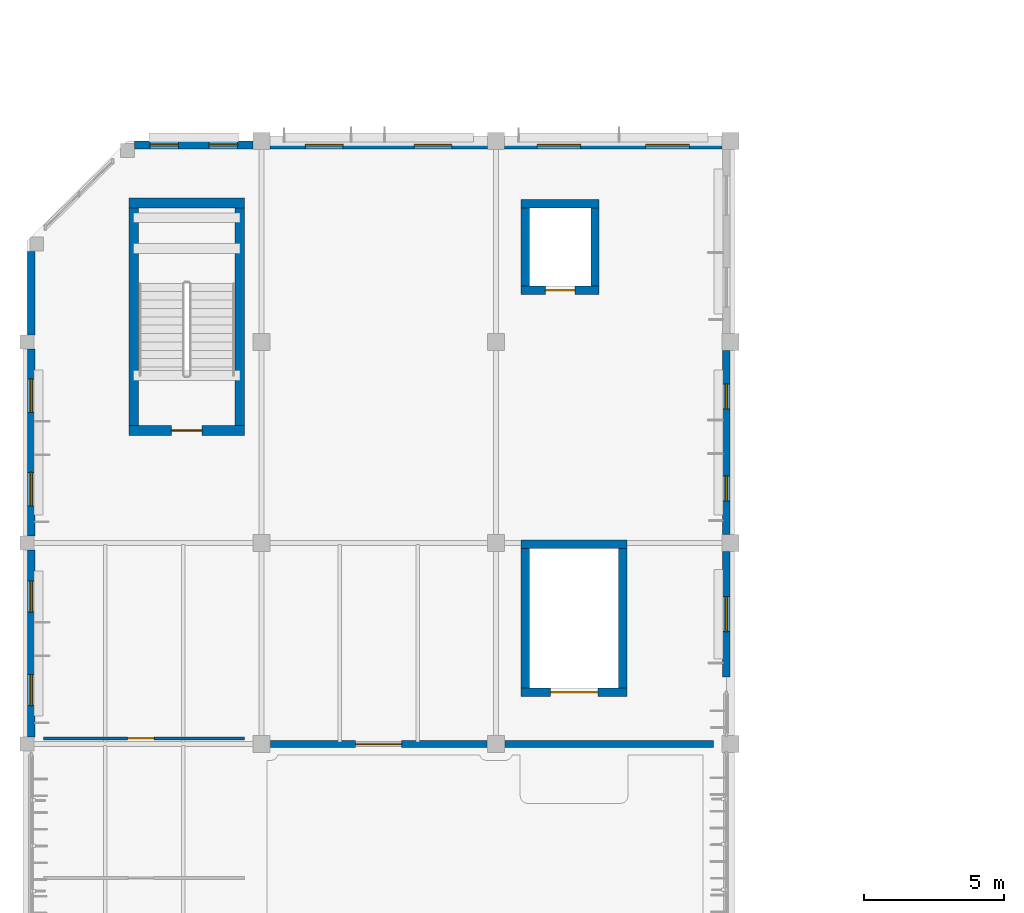
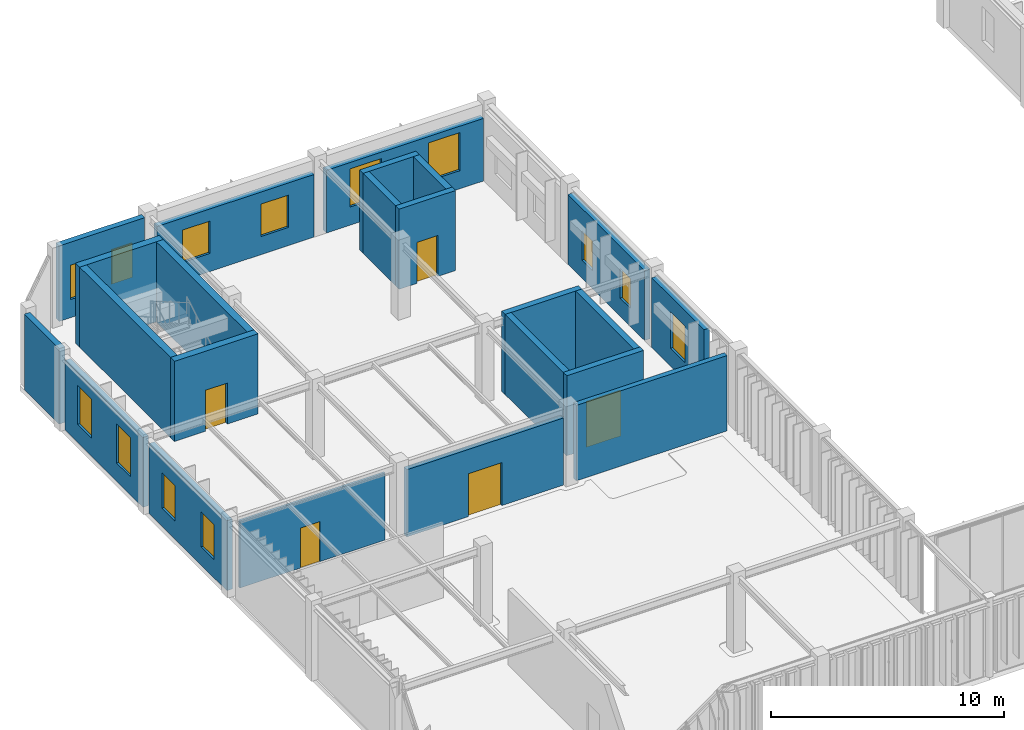
# One storey, part 42 of 104: 23 walls, 13 windows, 5 doors, 18 openings.
"""IFC4 building model written with IfcOpenShell, lengths in metres."""

import ifcopenshell
import ifcopenshell.guid

model = None  # the IFC model being written
_history = None  # IfcOwnerHistory: only IFC2X3 demands one
_inside = {}  # id of a spatial element -> (the spatial element, [elements in it])
_under = {}  # id of a project, library or spatial element -> (it, [spatial elements below it])
_declared = {}  # id of a project -> (the project, [libraries it declares])
_typed = {}  # id of a type object -> (the type object, [elements of that type])
_made_of = {}  # id of a material, layer set ... -> (it, [elements and type objects made of it])


def new_model(schema):
    """Start an empty IFC model of exactly this schema.

    Asked for "IFC4X3", IfcOpenShell would pick the latest addendum, in which some entities
    have other attributes; the version numbers below select the first issue.
    IFC2X3 requires an IfcOwnerHistory on every rooted entity: one is made here for all.
    """
    global model, _history
    if schema == "IFC4X3":
        model = ifcopenshell.file(schema_version=(4, 3, 0, 0))
    else:
        model = ifcopenshell.file(schema=schema)
    _inside.clear()
    _under.clear()
    _declared.clear()
    _typed.clear()
    _made_of.clear()
    _history = None
    if model.schema == "IFC2X3":
        org = make("IfcOrganization", Name="unknown")
        user = make(
            "IfcPersonAndOrganization",
            ThePerson=make("IfcPerson", FamilyName="unknown"),
            TheOrganization=org,
        )
        app = make(
            "IfcApplication",
            ApplicationDeveloper=org,
            Version="unknown",
            ApplicationFullName="unknown",
            ApplicationIdentifier="unknown",
        )
        _history = make(
            "IfcOwnerHistory",
            OwningUser=user,
            OwningApplication=app,
            ChangeAction="ADDED",
            CreationDate=0,
        )
    return model


def make(cls, **values):
    """One entity of the class cls with the attributes given. An attribute that is None is left unset."""
    return model.create_entity(
        cls, **{name: value for name, value in values.items() if value is not None}
    )


def rooted(cls, **values):
    """An entity with a GlobalId (a new one), such as an element, a storey or a relation."""
    return make(cls, GlobalId=ifcopenshell.guid.new(), OwnerHistory=_history, **values)


def si_unit(unit_type, name, prefix=None):
    """IfcSIUnit, for example si_unit("LENGTHUNIT", "METRE", prefix="MILLI")."""
    return make("IfcSIUnit", UnitType=unit_type, Prefix=prefix, Name=name)


def assignment(units):
    """IfcUnitAssignment: the units of a project."""
    return None if units is None else make("IfcUnitAssignment", Units=units)


def point(xyz):
    """IfcCartesianPoint."""
    return None if xyz is None else make("IfcCartesianPoint", Coordinates=xyz)


def direction(xyz):
    """IfcDirection."""
    return None if xyz is None else make("IfcDirection", DirectionRatios=xyz)


def frame(location, z_axis=None, x_axis=None):
    """IfcAxis2Placement3D, a coordinate frame: its origin and axes. An axis left out is left unset."""
    return make(
        "IfcAxis2Placement3D",
        Location=point(location),
        Axis=direction(z_axis),
        RefDirection=direction(x_axis),
    )


def frame_2d(location, x_axis=None):
    """IfcAxis2Placement2D, a coordinate frame in the plane: its origin and x axis."""
    return make(
        "IfcAxis2Placement2D", Location=point(location), RefDirection=direction(x_axis)
    )


def origin():
    """The frame at (0, 0, 0) with its axes left unset."""
    return frame((0.0, 0.0, 0.0))


def place(relative_to, where):
    """IfcLocalPlacement: puts the frame where relative to a parent placement (None: the world)."""
    return make(
        "IfcLocalPlacement", PlacementRelTo=relative_to, RelativePlacement=where
    )


def context(
    kind, dimensions, precision=None, world=None, true_north=None, identifier=None
):
    """IfcGeometricRepresentationContext, for example the 3D "Model" context."""
    return make(
        "IfcGeometricRepresentationContext",
        ContextIdentifier=identifier,
        ContextType=kind,
        CoordinateSpaceDimension=dimensions,
        Precision=precision,
        WorldCoordinateSystem=world,
        TrueNorth=true_north,
    )


def subcontext(parent, identifier, kind, view, scale=None):
    """IfcGeometricRepresentationSubContext, for example "Body" below "Model"."""
    return make(
        "IfcGeometricRepresentationSubContext",
        ContextIdentifier=identifier,
        ContextType=kind,
        ParentContext=parent,
        TargetScale=scale,
        TargetView=view,
    )


def project(units=None, contexts=None):
    """IfcProject with its units and contexts."""
    return rooted(
        "IfcProject",
        Name="project",
        RepresentationContexts=contexts,
        UnitsInContext=assignment(units),
    )


def spatial(cls, under=None, at=None, **own):
    """A site, building, storey or space (cls), placed at a placement, below another one or the project."""
    s = rooted(cls, ObjectPlacement=at, **own)
    if under is not None:
        _under.setdefault(under.id(), (under, []))[1].append(s)
    return s


def profile(cls, at=None, kind="AREA", **sizes):
    """A parametric profile (cls). Its sizes go by their IFC names, for example OverallWidth=200.0."""
    return make(cls, ProfileType=kind, Position=at, **sizes)


def rectangle(**sizes):
    """IfcRectangleProfileDef."""
    return profile("IfcRectangleProfileDef", **sizes)


def extrude(swept, where, along, depth):
    """IfcExtrudedAreaSolid: the profile swept, set in the frame where, extruded along a direction by depth."""
    return make(
        "IfcExtrudedAreaSolid",
        SweptArea=swept,
        Position=where,
        ExtrudedDirection=direction(along),
        Depth=depth,
    )


def shape(context_of_items, identifier, shape_type, items):
    """IfcShapeRepresentation: the items that make up one representation, for example the "Body"."""
    return make(
        "IfcShapeRepresentation",
        ContextOfItems=context_of_items,
        RepresentationIdentifier=identifier,
        RepresentationType=shape_type,
        Items=items,
    )


def material(Name=None, Category=None):
    """IfcMaterial."""
    return make("IfcMaterial", Name=Name, Category=Category)


def layer(
    of_material, thickness, ventilated=None, Name=None, Category=None, Priority=None
):
    """IfcMaterialLayer: one layer of a wall or slab, of a material (None: an air gap)."""
    return make(
        "IfcMaterialLayer",
        Material=of_material,
        LayerThickness=thickness,
        IsVentilated=ventilated,
        Name=Name,
        Category=Category,
        Priority=Priority,
    )


def layer_set(layers, Name=None):
    """IfcMaterialLayerSet."""
    return make("IfcMaterialLayerSet", MaterialLayers=layers, LayerSetName=Name)


def made_of(thing, what):
    """Note that an element or type object is made of a material, layer set ...; save() writes the relation."""
    if what is not None:
        _made_of.setdefault(what.id(), (what, []))[1].append(thing)
    return thing


def type_object(cls, material=None, **own):
    """A type object (cls), such as IfcWallType, which elements share."""
    return made_of(rooted(cls, **own), material)


def element(
    cls,
    number,
    at=None,
    inside=None,
    cuts=None,
    type_object=None,
    material=None,
    context=None,
    identifier="Body",
    shape_type=None,
    held_by="IfcProductDefinitionShape",
    body=None,
    shapes=None,
    **own,
):
    """One element of the class cls, such as IfcWall. Its Tag is "e" and its number.

    at: its placement. inside: the storey or other place that contains it. cuts: it is an
    opening in that element (IfcRelVoidsElement). A single representation is given by context,
    identifier, shape_type and body (its items); several are given by shapes. held_by: the class
    of the entity that holds the representations. save() writes the other relations.
    """
    e = rooted(cls, Tag="e%d" % number, ObjectPlacement=at, **own)
    if body is not None:
        shapes = [shape(context, identifier, shape_type, body)]
    if shapes is not None:
        e.Representation = make(held_by, Representations=shapes)
    if inside is not None:
        _inside.setdefault(inside.id(), (inside, []))[1].append(e)
    if cuts is not None:
        rooted(
            "IfcRelVoidsElement", RelatingBuildingElement=cuts, RelatedOpeningElement=e
        )
    if type_object is not None:
        _typed.setdefault(type_object.id(), (type_object, []))[1].append(e)
    return made_of(e, material)


def fill(opening, filler):
    """IfcRelFillsElement: the door or window that sits in an opening."""
    return rooted(
        "IfcRelFillsElement",
        RelatingOpeningElement=opening,
        RelatedBuildingElement=filler,
    )


def aggregate(whole, parts):
    """IfcRelAggregates: a whole, such as a stair, and the parts it consists of."""
    return rooted("IfcRelAggregates", RelatingObject=whole, RelatedObjects=parts)


def save(model, path):
    """Write the relations noted so far, then the file.

    IfcRelAggregates (storeys below a building ...), IfcRelContainedInSpatialStructure (elements
    in a storey), IfcRelDefinesByType, IfcRelAssociatesMaterial and IfcRelDeclares: one each for
    every whole, place, type object, material and project.
    """
    for whole, parts in _under.values():
        aggregate(whole, parts)
    for where, things in _inside.values():
        rooted(
            "IfcRelContainedInSpatialStructure",
            RelatedElements=things,
            RelatingStructure=where,
        )
    for kind, things in _typed.values():
        rooted("IfcRelDefinesByType", RelatedObjects=things, RelatingType=kind)
    for what, things in _made_of.values():
        rooted("IfcRelAssociatesMaterial", RelatedObjects=things, RelatingMaterial=what)
    for by, libraries in _declared.values():
        rooted("IfcRelDeclares", RelatingContext=by, RelatedDefinitions=libraries)
    model.write(path)


model = new_model("IFC4")

# Units and contexts
model_context = context("Model", 3, precision=1e-05, world=origin(), true_north=direction((0.0, 1.0)))
body_context = subcontext(model_context, "Body", "Model", "MODEL_VIEW")
ifc_project = project(units=[si_unit("LENGTHUNIT", "METRE"), si_unit("AREAUNIT", "SQUARE_METRE"), si_unit("VOLUMEUNIT", "CUBIC_METRE"), si_unit("PLANEANGLEUNIT", "RADIAN"), si_unit("MASSUNIT", "GRAM", prefix="KILO")], contexts=[model_context])

# Site, building, storey
site_placement = place(None, origin())
site = spatial("IfcSite", under=ifc_project, at=site_placement, CompositionType="ELEMENT")
building_placement = place(site_placement, origin())
building = spatial("IfcBuilding", under=site, at=building_placement, Name="Tazoul Stagehouse", CompositionType="ELEMENT")
storey_placement = place(building_placement, frame((0.0, 0.0, 9.0)))
storey = spatial("IfcBuildingStorey", under=building, at=storey_placement, Name="L02", CompositionType="ELEMENT", Elevation=9.0)

# Wall, opening, door
ifc_material_1 = material(Name="Gypsum Acoustic Partition", Category="gypsum")
ifc_layer_1 = layer(ifc_material_1, 0.25, Name="Gypsum Acoustic Partition")
ifc_layer_set_1 = layer_set([ifc_layer_1], Name="Gypsum Acoustic Partition")
wall_type_1 = type_object("IfcWallType", Name="Acoustic Hall Double-Stud Partition 250", PredefinedType="PARTITIONING", material=ifc_layer_set_1)
wall_1_placement = place(storey_placement, frame((11.1201171875, 66.199951171875, 0.0), z_axis=(0.0, 0.0, 1.0), x_axis=(1.0, 0.0, 0.0)))
wall_1 = element("IfcWall", 1, at=wall_1_placement, inside=storey, type_object=wall_type_1, Name="L02 Partition PW-250 (PW-RM-L02-066-N-S1)", PredefinedType="PARTITIONING", context=body_context, shape_type="SweptSolid", body=[
    extrude(rectangle(XDim=7.759765625, YDim=0.25, at=frame_2d((3.8798828125, 0.0))), origin(), (0.0, 0.0, 1.0), 3.52001953125),
])
opening_1_placement = place(wall_1_placement, frame((3.054931640625, 0.0, 0.0)))
opening_1 = element("IfcOpeningElement", 2, at=opening_1_placement, cuts=wall_1, Name="Opening ID-17", PredefinedType="OPENING", context=body_context, shape_type="SweptSolid", body=[
    extrude(rectangle(XDim=1.64990234375, YDim=2.25, at=frame_2d((0.824951171875, 1.125))), frame((0.0, 0.14501953125, 0.0), z_axis=(0.0, -1.0, 0.0), x_axis=(1.0, 0.0, 0.0)), (0.0, 0.0, 1.0), 0.2900390625),
])
ifc_material_2 = material(Name="Acoustic Cedar Timber", Category="wood")
door_type_1 = type_object("IfcDoorType", Name="Black-Box Theatre Acoustic Door 1650x2250", OperationType="DOUBLE_DOOR_SINGLE_SWING", PredefinedType="DOOR", material=ifc_material_2)
door_1_placement = place(opening_1_placement, origin())
door_1 = element("IfcDoor", 3, at=door_1_placement, inside=storey, type_object=door_type_1, Name="L02 Experimental Black-Box Theatre Door", OperationType="DOUBLE_DOOR_SINGLE_SWING", OverallHeight=2.25, OverallWidth=1.64990234375, PredefinedType="DOOR", context=body_context, shape_type="SweptSolid", body=[
    extrude(rectangle(XDim=1.64990234375, YDim=2.25, at=frame_2d((0.824951171875, 1.125))), frame((0.0, 0.02490234375, 0.0), z_axis=(0.0, -1.0, 0.0), x_axis=(1.0, 0.0, 0.0)), (0.0, 0.0, 1.0), 0.050048828125),
])
fill(opening_1, door_1)

# Wall
wall_2_placement = place(storey_placement, frame((19.52001953125, 66.199951171875, 0.0), z_axis=(0.0, 0.0, 1.0), x_axis=(1.0, 0.0, 0.0)))
element("IfcWall", 4, at=wall_2_placement, inside=storey, type_object=wall_type_1, Name="L02 Partition PW-250 (PW-RM-L02-066-N-S2)", PredefinedType="PARTITIONING", context=body_context, shape_type="SweptSolid", body=[
    extrude(rectangle(XDim=7.47998046875, YDim=0.25, at=frame_2d((3.739990234375, 0.0))), origin(), (0.0, 0.0, 1.0), 3.949951171875),
])

# Wall, opening, door
ifc_material_3 = material(Name="Concrete C40/50", Category="concrete")
ifc_layer_2 = layer(ifc_material_3, 0.35009765625, Name="Concrete C40/50")
ifc_layer_set_2 = layer_set([ifc_layer_2], Name="Concrete C40/50")
wall_type_2 = type_object("IfcWallType", Name="Core Shear Wall 350", PredefinedType="SOLIDWALL", material=ifc_layer_set_2)
wall_3_placement = place(storey_placement, frame((10.199951171875, 77.425048828125, 0.0), z_axis=(0.0, 0.0, 1.0), x_axis=(-1.0, 0.0, 0.0)))
wall_3 = element("IfcWall", 5, at=wall_3_placement, inside=storey, type_object=wall_type_2, Name="L02 Core Wall CW-350 (SHF-ST-06-south)", PredefinedType="SOLIDWALL", context=body_context, shape_type="SweptSolid", body=[
    extrude(rectangle(XDim=4.14990234375, YDim=0.35009765625, at=frame_2d((2.074951171875, 0.0))), origin(), (0.0, 0.0, 1.0), 4.199951171875),
])
opening_2_placement = place(wall_3_placement, frame((1.52490234375, 0.0, 0.0)))
opening_2 = element("IfcOpeningElement", 6, at=opening_2_placement, cuts=wall_3, Name="Opening FD-01", PredefinedType="OPENING", context=body_context, shape_type="SweptSolid", body=[
    extrude(rectangle(XDim=1.10009765625, YDim=2.14990234375, at=frame_2d((0.550048828125, 1.074951171875))), frame((0.0, 0.195068359375, 0.0), z_axis=(0.0, -1.0, 0.0), x_axis=(1.0, 0.0, 0.0)), (0.0, 0.0, 1.0), 0.39013671875),
])
ifc_material_4 = material(Name="Powder-Coated Galvanised Acoustic Steel", Category="steel")
door_type_2 = type_object("IfcDoorType", Name="Core Escape Stair Fire Door 1100x2150", OperationType="NOTDEFINED", PredefinedType="DOOR", material=ifc_material_4)
door_2_placement = place(opening_2_placement, origin())
door_2 = element("IfcDoor", 7, at=door_2_placement, inside=storey, type_object=door_type_2, Name="L02 Escape Stair Fire Door FD-01 (ST-06)", OperationType="SINGLE_SWING_RIGHT", OverallHeight=2.14990234375, OverallWidth=1.10009765625, PredefinedType="DOOR", context=body_context, shape_type="SweptSolid", body=[
    extrude(rectangle(XDim=1.10009765625, YDim=2.14990234375, at=frame_2d((0.550048828125, 1.074951171875))), frame((0.0, 0.02490234375, 0.0), z_axis=(0.0, -1.0, 0.0), x_axis=(1.0, 0.0, 0.0)), (0.0, 0.0, 1.0), 0.050048828125),
])
fill(opening_2, door_2)

# Walls
wall_4_placement = place(storey_placement, frame((6.22509765625, 77.60009765625, 0.0), z_axis=(0.0, 0.0, 1.0), x_axis=(0.0, 1.0, 0.0)))
element("IfcWall", 8, at=wall_4_placement, inside=storey, type_object=wall_type_2, Name="L02 Core Wall CW-350 (SHF-ST-06-west)", PredefinedType="SOLIDWALL", context=body_context, shape_type="SweptSolid", body=[
    extrude(rectangle(XDim=7.7998046875, YDim=0.35009765625, at=frame_2d((3.89990234375, 0.0))), origin(), (0.0, 0.0, 1.0), 4.199951171875),
])
wall_5_placement = place(storey_placement, frame((6.050048828125, 85.574951171875, 0.0), z_axis=(0.0, 0.0, 1.0), x_axis=(1.0, 0.0, 0.0)))
element("IfcWall", 9, at=wall_5_placement, inside=storey, type_object=wall_type_2, Name="L02 Core Wall CW-350 (SHF-ST-06-north)", PredefinedType="SOLIDWALL", context=body_context, shape_type="SweptSolid", body=[
    extrude(rectangle(XDim=4.14990234375, YDim=0.35009765625, at=frame_2d((2.074951171875, 0.0))), origin(), (0.0, 0.0, 1.0), 4.199951171875),
])
wall_6_placement = place(storey_placement, frame((10.02490234375, 85.39990234375, 0.0), z_axis=(0.0, 0.0, 1.0), x_axis=(0.0, -1.0, 0.0)))
element("IfcWall", 10, at=wall_6_placement, inside=storey, type_object=wall_type_2, Name="L02 Core Wall CW-350 (SHF-ST-06-east)", PredefinedType="SOLIDWALL", context=body_context, shape_type="SweptSolid", body=[
    extrude(rectangle(XDim=7.7998046875, YDim=0.35009765625, at=frame_2d((3.89990234375, 0.0))), origin(), (0.0, 0.0, 1.0), 4.199951171875),
])

# Wall, openings, windows
ifc_material_5 = material(Name="Precast concrete C40/50", Category="concrete")
ifc_layer_3 = layer(ifc_material_5, 0.280029296875, Name="Precast concrete C40/50")
ifc_layer_set_3 = layer_set([ifc_layer_3], Name="Precast concrete C40/50")
wall_type_3 = type_object("IfcWallType", Name="Insulated Precast Acoustic Cladding Wall 280", PredefinedType="SOLIDWALL", material=ifc_layer_set_3)
wall_7_placement = place(storey_placement, frame((2.550048828125, 66.455078125, 0.0), z_axis=(0.0, 0.0, 1.0), x_axis=(0.0, 1.0, 0.0)))
wall_7 = element("IfcWall", 11, at=wall_7_placement, inside=storey, type_object=wall_type_3, Name="L02 Wall EW-280 (WALL-V6-W2-L02-S1)", PredefinedType="SOLIDWALL", context=body_context, shape_type="SweptSolid", body=[
    extrude(rectangle(XDim=6.68994140625, YDim=0.280029296875, at=frame_2d((3.344970703125, 0.0))), origin(), (0.0, 0.0, 1.0), 3.6630859375),
])
opening_3_placement = place(wall_7_placement, frame((1.117431640625, 0.0, 0.949951171875)))
opening_3 = element("IfcOpeningElement", 12, at=opening_3_placement, cuts=wall_7, Name="Opening WN-65", PredefinedType="OPENING", context=body_context, shape_type="SweptSolid", body=[
    extrude(rectangle(XDim=1.110107421875, YDim=1.85009765625, at=frame_2d((0.55517578125, 0.925048828125))), frame((0.0, 0.159912109375, 0.0), z_axis=(0.0, -1.0, 0.0), x_axis=(1.0, 0.0, 0.0)), (0.0, 0.0, 1.0), 0.320068359375),
])
opening_4_placement = place(wall_7_placement, frame((4.46240234375, 0.0, 0.949951171875)))
opening_4 = element("IfcOpeningElement", 13, at=opening_4_placement, cuts=wall_7, Name="Opening WN-65", PredefinedType="OPENING", context=body_context, shape_type="SweptSolid", body=[
    extrude(rectangle(XDim=1.110107421875, YDim=1.85009765625, at=frame_2d((0.55517578125, 0.925048828125))), frame((0.0, 0.159912109375, 0.0), z_axis=(0.0, -1.0, 0.0), x_axis=(1.0, 0.0, 0.0)), (0.0, 0.0, 1.0), 0.320068359375),
])
ifc_material_6 = material(Name="Double Low-E Acoustic Laminated Glass", Category="glass")
window_type_1 = type_object("IfcWindowType", Name="Architectural Acoustic Facade Window 1110x1850", PartitioningType="SINGLE_PANEL", PredefinedType="WINDOW", material=ifc_material_6)
window_1_placement = place(opening_3_placement, origin())
window_1 = element("IfcWindow", 14, at=window_1_placement, inside=storey, type_object=window_type_1, Name="L02 Window WN-65 (WALL-V6-W2-L02-S1-W1)", OverallHeight=1.85009765625, OverallWidth=1.110107421875, PartitioningType="SINGLE_PANEL", PredefinedType="WINDOW", context=body_context, shape_type="SweptSolid", body=[
    extrude(rectangle(XDim=1.110107421875, YDim=1.85009765625, at=frame_2d((0.55517578125, 0.925048828125))), frame((0.0, 0.030029296875, 0.0), z_axis=(0.0, -1.0, 0.0), x_axis=(1.0, 0.0, 0.0)), (0.0, 0.0, 1.0), 0.06005859375),
])
fill(opening_3, window_1)
window_2_placement = place(opening_4_placement, origin())
window_2 = element("IfcWindow", 15, at=window_2_placement, inside=storey, type_object=window_type_1, Name="L02 Window WN-65 (WALL-V6-W2-L02-S1-W2)", OverallHeight=1.85009765625, OverallWidth=1.110107421875, PartitioningType="SINGLE_PANEL", PredefinedType="WINDOW", context=body_context, shape_type="SweptSolid", body=[
    extrude(rectangle(XDim=1.110107421875, YDim=1.85009765625, at=frame_2d((0.55517578125, 0.925048828125))), frame((0.0, 0.030029296875, 0.0), z_axis=(0.0, -1.0, 0.0), x_axis=(1.0, 0.0, 0.0)), (0.0, 0.0, 1.0), 0.06005859375),
])
fill(opening_4, window_2)

wall_8_placement = place(storey_placement, frame((2.550048828125, 73.655029296875, 0.0), z_axis=(0.0, 0.0, 1.0), x_axis=(0.0, 1.0, 0.0)))
wall_8 = element("IfcWall", 16, at=wall_8_placement, inside=storey, type_object=wall_type_3, Name="L02 Wall EW-280 (WALL-V6-W2-L02-S2)", PredefinedType="SOLIDWALL", context=body_context, shape_type="SweptSolid", body=[
    extrude(rectangle(XDim=6.68994140625, YDim=0.280029296875, at=frame_2d((3.344970703125, 0.0))), origin(), (0.0, 0.0, 1.0), 3.6630859375),
])
opening_5_placement = place(wall_8_placement, frame((1.072509765625, 0.0, 0.949951171875)))
opening_5 = element("IfcOpeningElement", 17, at=opening_5_placement, cuts=wall_8, Name="Opening WN-22", PredefinedType="OPENING", context=body_context, shape_type="SweptSolid", body=[
    extrude(rectangle(XDim=1.199951171875, YDim=2.050048828125, at=frame_2d((0.60009765625, 1.02490234375))), frame((0.0, 0.159912109375, 0.0), z_axis=(0.0, -1.0, 0.0), x_axis=(1.0, 0.0, 0.0)), (0.0, 0.0, 1.0), 0.320068359375),
])
opening_6_placement = place(wall_8_placement, frame((4.41748046875, 0.0, 0.949951171875)))
opening_6 = element("IfcOpeningElement", 18, at=opening_6_placement, cuts=wall_8, Name="Opening WN-22", PredefinedType="OPENING", context=body_context, shape_type="SweptSolid", body=[
    extrude(rectangle(XDim=1.199951171875, YDim=2.050048828125, at=frame_2d((0.60009765625, 1.02490234375))), frame((0.0, 0.159912109375, 0.0), z_axis=(0.0, -1.0, 0.0), x_axis=(1.0, 0.0, 0.0)), (0.0, 0.0, 1.0), 0.320068359375),
])
window_type_2 = type_object("IfcWindowType", Name="Studio Drum Acoustic Window 1200x2050", PartitioningType="SINGLE_PANEL", PredefinedType="WINDOW", material=ifc_material_6)
window_3_placement = place(opening_5_placement, origin())
window_3 = element("IfcWindow", 19, at=window_3_placement, inside=storey, type_object=window_type_2, Name="L02 Window WN-22 (WALL-V6-W2-L02-S2-W1)", OverallHeight=2.050048828125, OverallWidth=1.199951171875, PartitioningType="SINGLE_PANEL", PredefinedType="WINDOW", context=body_context, shape_type="SweptSolid", body=[
    extrude(rectangle(XDim=1.199951171875, YDim=2.050048828125, at=frame_2d((0.60009765625, 1.02490234375))), frame((0.0, 0.030029296875, 0.0), z_axis=(0.0, -1.0, 0.0), x_axis=(1.0, 0.0, 0.0)), (0.0, 0.0, 1.0), 0.06005859375),
])
fill(opening_5, window_3)
window_4_placement = place(opening_6_placement, origin())
window_4 = element("IfcWindow", 20, at=window_4_placement, inside=storey, type_object=window_type_2, Name="L02 Window WN-22 (WALL-V6-W2-L02-S2-W2)", OverallHeight=2.050048828125, OverallWidth=1.199951171875, PartitioningType="SINGLE_PANEL", PredefinedType="WINDOW", context=body_context, shape_type="SweptSolid", body=[
    extrude(rectangle(XDim=1.199951171875, YDim=2.050048828125, at=frame_2d((0.60009765625, 1.02490234375))), frame((0.0, 0.030029296875, 0.0), z_axis=(0.0, -1.0, 0.0), x_axis=(1.0, 0.0, 0.0)), (0.0, 0.0, 1.0), 0.06005859375),
])
fill(opening_6, window_4)

# Wall
wall_9_placement = place(storey_placement, frame((2.550048828125, 80.85498046875, 0.0), z_axis=(0.0, 0.0, 1.0), x_axis=(0.0, 1.0, 0.0)))
element("IfcWall", 21, at=wall_9_placement, inside=storey, type_object=wall_type_3, Name="L02 Wall EW-280 (WALL-V6-W2-L02-S3)", PredefinedType="SOLIDWALL", context=body_context, shape_type="SweptSolid", body=[
    extrude(rectangle(XDim=2.989990234375, YDim=0.280029296875, at=frame_2d((1.4951171875, 0.0))), origin(), (0.0, 0.0, 1.0), 3.9599609375),
])

# Wall, openings, windows
wall_10_placement = place(storey_placement, frame((6.2548828125, 87.64990234375, 0.0), z_axis=(0.0, 0.0, 1.0), x_axis=(1.0, 0.0, 0.0)))
wall_10 = element("IfcWall", 22, at=wall_10_placement, inside=storey, type_object=wall_type_3, Name="L02 Wall EW-280 (WALL-V6-N-L02-S1)", PredefinedType="SOLIDWALL", context=body_context, shape_type="SweptSolid", body=[
    extrude(rectangle(XDim=4.240234375, YDim=0.280029296875, at=frame_2d((2.1201171875, 0.0))), origin(), (0.0, 0.0, 1.0), 3.9599609375),
])
opening_7_placement = place(wall_10_placement, frame((0.550048828125, 0.0, 0.949951171875)))
opening_7 = element("IfcOpeningElement", 23, at=opening_7_placement, cuts=wall_10, Name="Opening WN-62", PredefinedType="OPENING", context=body_context, shape_type="SweptSolid", body=[
    extrude(rectangle(XDim=1.02001953125, YDim=1.800048828125, at=frame_2d((0.510009765625, 0.89990234375))), frame((0.0, 0.159912109375, 0.0), z_axis=(0.0, -1.0, 0.0), x_axis=(1.0, 0.0, 0.0)), (0.0, 0.0, 1.0), 0.320068359375),
])
opening_8_placement = place(wall_10_placement, frame((2.669921875, 0.0, 0.949951171875)))
opening_8 = element("IfcOpeningElement", 24, at=opening_8_placement, cuts=wall_10, Name="Opening WN-62", PredefinedType="OPENING", context=body_context, shape_type="SweptSolid", body=[
    extrude(rectangle(XDim=1.02001953125, YDim=1.800048828125, at=frame_2d((0.510009765625, 0.89990234375))), frame((0.0, 0.159912109375, 0.0), z_axis=(0.0, -1.0, 0.0), x_axis=(1.0, 0.0, 0.0)), (0.0, 0.0, 1.0), 0.320068359375),
])
window_type_3 = type_object("IfcWindowType", Name="Architectural Acoustic Facade Window 1020x1800", PartitioningType="SINGLE_PANEL", PredefinedType="WINDOW", material=ifc_material_6)
window_5_placement = place(opening_7_placement, origin())
window_5 = element("IfcWindow", 25, at=window_5_placement, inside=storey, type_object=window_type_3, Name="L02 Window WN-62 (WALL-V6-N-L02-S1-W1)", OverallHeight=1.800048828125, OverallWidth=1.02001953125, PartitioningType="SINGLE_PANEL", PredefinedType="WINDOW", context=body_context, shape_type="SweptSolid", body=[
    extrude(rectangle(XDim=1.02001953125, YDim=1.800048828125, at=frame_2d((0.510009765625, 0.89990234375))), frame((0.0, 0.030029296875, 0.0), z_axis=(0.0, -1.0, 0.0), x_axis=(1.0, 0.0, 0.0)), (0.0, 0.0, 1.0), 0.06005859375),
])
fill(opening_7, window_5)
window_6_placement = place(opening_8_placement, origin())
window_6 = element("IfcWindow", 26, at=window_6_placement, inside=storey, type_object=window_type_3, Name="L02 Window WN-62 (WALL-V6-N-L02-S1-W2)", OverallHeight=1.800048828125, OverallWidth=1.02001953125, PartitioningType="SINGLE_PANEL", PredefinedType="WINDOW", context=body_context, shape_type="SweptSolid", body=[
    extrude(rectangle(XDim=1.02001953125, YDim=1.800048828125, at=frame_2d((0.510009765625, 0.89990234375))), frame((0.0, 0.030029296875, 0.0), z_axis=(0.0, -1.0, 0.0), x_axis=(1.0, 0.0, 0.0)), (0.0, 0.0, 1.0), 0.06005859375),
])
fill(opening_8, window_6)

wall_11_placement = place(storey_placement, frame((11.10498046875, 87.64990234375, 0.0), z_axis=(0.0, 0.0, 1.0), x_axis=(1.0, 0.0, 0.0)))
wall_11 = element("IfcWall", 27, at=wall_11_placement, inside=storey, type_object=wall_type_3, Name="L02 Wall EW-280 (WALL-V6-N-L02-S2)", PredefinedType="SOLIDWALL", context=body_context, shape_type="SweptSolid", body=[
    extrude(rectangle(XDim=7.7900390625, YDim=0.280029296875, at=frame_2d((3.89501953125, 0.0))), origin(), (0.0, 0.0, 1.0), 3.282958984375),
])
opening_9_placement = place(wall_11_placement, frame((1.2724609375, 0.0, 0.949951171875)))
opening_9 = element("IfcOpeningElement", 28, at=opening_9_placement, cuts=wall_11, Name="Opening WN-48", PredefinedType="OPENING", context=body_context, shape_type="SweptSolid", body=[
    extrude(rectangle(XDim=1.35009765625, YDim=1.699951171875, at=frame_2d((0.675048828125, 0.85009765625))), frame((0.0, 0.159912109375, 0.0), z_axis=(0.0, -1.0, 0.0), x_axis=(1.0, 0.0, 0.0)), (0.0, 0.0, 1.0), 0.320068359375),
])
opening_10_placement = place(wall_11_placement, frame((5.16748046875, 0.0, 0.949951171875)))
opening_10 = element("IfcOpeningElement", 29, at=opening_10_placement, cuts=wall_11, Name="Opening WN-48", PredefinedType="OPENING", context=body_context, shape_type="SweptSolid", body=[
    extrude(rectangle(XDim=1.35009765625, YDim=1.699951171875, at=frame_2d((0.675048828125, 0.85009765625))), frame((0.0, 0.159912109375, 0.0), z_axis=(0.0, -1.0, 0.0), x_axis=(1.0, 0.0, 0.0)), (0.0, 0.0, 1.0), 0.320068359375),
])
window_type_4 = type_object("IfcWindowType", Name="Architectural Acoustic Facade Window 1350x1700", PartitioningType="SINGLE_PANEL", PredefinedType="WINDOW", material=ifc_material_6)
window_7_placement = place(opening_9_placement, origin())
window_7 = element("IfcWindow", 30, at=window_7_placement, inside=storey, type_object=window_type_4, Name="L02 Window WN-48 (WALL-V6-N-L02-S2-W1)", OverallHeight=1.699951171875, OverallWidth=1.35009765625, PartitioningType="SINGLE_PANEL", PredefinedType="WINDOW", context=body_context, shape_type="SweptSolid", body=[
    extrude(rectangle(XDim=1.35009765625, YDim=1.699951171875, at=frame_2d((0.675048828125, 0.85009765625))), frame((0.0, 0.030029296875, 0.0), z_axis=(0.0, -1.0, 0.0), x_axis=(1.0, 0.0, 0.0)), (0.0, 0.0, 1.0), 0.06005859375),
])
fill(opening_9, window_7)
window_8_placement = place(opening_10_placement, origin())
window_8 = element("IfcWindow", 31, at=window_8_placement, inside=storey, type_object=window_type_4, Name="L02 Window WN-48 (WALL-V6-N-L02-S2-W2)", OverallHeight=1.699951171875, OverallWidth=1.35009765625, PartitioningType="SINGLE_PANEL", PredefinedType="WINDOW", context=body_context, shape_type="SweptSolid", body=[
    extrude(rectangle(XDim=1.35009765625, YDim=1.699951171875, at=frame_2d((0.675048828125, 0.85009765625))), frame((0.0, 0.030029296875, 0.0), z_axis=(0.0, -1.0, 0.0), x_axis=(1.0, 0.0, 0.0)), (0.0, 0.0, 1.0), 0.06005859375),
])
fill(opening_10, window_8)

wall_12_placement = place(storey_placement, frame((19.5048828125, 87.64990234375, 0.0), z_axis=(0.0, 0.0, 1.0), x_axis=(1.0, 0.0, 0.0)))
wall_12 = element("IfcWall", 32, at=wall_12_placement, inside=storey, type_object=wall_type_3, Name="L02 Wall EW-280 (WALL-V6-N-L02-S3)", PredefinedType="SOLIDWALL", context=body_context, shape_type="SweptSolid", body=[
    extrude(rectangle(XDim=7.7900390625, YDim=0.280029296875, at=frame_2d((3.89501953125, 0.0))), origin(), (0.0, 0.0, 1.0), 3.282958984375),
])
opening_11_placement = place(wall_12_placement, frame((1.16748046875, 0.0, 0.949951171875)))
opening_11 = element("IfcOpeningElement", 33, at=opening_11_placement, cuts=wall_12, Name="Opening WN-80", PredefinedType="OPENING", context=body_context, shape_type="SweptSolid", body=[
    extrude(rectangle(XDim=1.56005859375, YDim=2.0, at=frame_2d((0.780029296875, 1.0))), frame((0.0, 0.159912109375, 0.0), z_axis=(0.0, -1.0, 0.0), x_axis=(1.0, 0.0, 0.0)), (0.0, 0.0, 1.0), 0.320068359375),
])
opening_12_placement = place(wall_12_placement, frame((5.0625, 0.0, 0.949951171875)))
opening_12 = element("IfcOpeningElement", 34, at=opening_12_placement, cuts=wall_12, Name="Opening WN-80", PredefinedType="OPENING", context=body_context, shape_type="SweptSolid", body=[
    extrude(rectangle(XDim=1.56005859375, YDim=2.0, at=frame_2d((0.780029296875, 1.0))), frame((0.0, 0.159912109375, 0.0), z_axis=(0.0, -1.0, 0.0), x_axis=(1.0, 0.0, 0.0)), (0.0, 0.0, 1.0), 0.320068359375),
])
window_type_5 = type_object("IfcWindowType", Name="Architectural Acoustic Facade Window 1560x2000", PartitioningType="SINGLE_PANEL", PredefinedType="WINDOW", material=ifc_material_6)
window_9_placement = place(opening_11_placement, origin())
window_9 = element("IfcWindow", 35, at=window_9_placement, inside=storey, type_object=window_type_5, Name="L02 Window WN-80 (WALL-V6-N-L02-S3-W1)", OverallHeight=2.0, OverallWidth=1.56005859375, PartitioningType="SINGLE_PANEL", PredefinedType="WINDOW", context=body_context, shape_type="SweptSolid", body=[
    extrude(rectangle(XDim=1.56005859375, YDim=2.0, at=frame_2d((0.780029296875, 1.0))), frame((0.0, 0.030029296875, 0.0), z_axis=(0.0, -1.0, 0.0), x_axis=(1.0, 0.0, 0.0)), (0.0, 0.0, 1.0), 0.06005859375),
])
fill(opening_11, window_9)
window_10_placement = place(opening_12_placement, origin())
window_10 = element("IfcWindow", 36, at=window_10_placement, inside=storey, type_object=window_type_5, Name="L02 Window WN-80 (WALL-V6-N-L02-S3-W2)", OverallHeight=2.0, OverallWidth=1.56005859375, PartitioningType="SINGLE_PANEL", PredefinedType="WINDOW", context=body_context, shape_type="SweptSolid", body=[
    extrude(rectangle(XDim=1.56005859375, YDim=2.0, at=frame_2d((0.780029296875, 1.0))), frame((0.0, 0.030029296875, 0.0), z_axis=(0.0, -1.0, 0.0), x_axis=(1.0, 0.0, 0.0)), (0.0, 0.0, 1.0), 0.06005859375),
])
fill(opening_12, window_10)

# Wall, opening, window
wall_13_placement = place(storey_placement, frame((27.449951171875, 68.60009765625, 0.0), z_axis=(0.0, 0.0, 1.0), x_axis=(0.0, 1.0, 0.0)))
wall_13 = element("IfcWall", 37, at=wall_13_placement, inside=storey, type_object=wall_type_3, Name="L02 Wall EW-280 (WALL-V6-E2-L02-S1)", PredefinedType="SOLIDWALL", context=body_context, shape_type="SweptSolid", body=[
    extrude(rectangle(XDim=4.494873046875, YDim=0.280029296875, at=frame_2d((2.24755859375, 0.0))), origin(), (0.0, 0.0, 1.0), 3.6630859375),
])
opening_13_placement = place(wall_13_placement, frame((1.62255859375, 0.0, 0.949951171875)))
opening_13 = element("IfcOpeningElement", 38, at=opening_13_placement, cuts=wall_13, Name="Opening WN-28", PredefinedType="OPENING", context=body_context, shape_type="SweptSolid", body=[
    extrude(rectangle(XDim=1.25, YDim=1.89990234375, at=frame_2d((0.625, 0.949951171875))), frame((0.0, 0.159912109375, 0.0), z_axis=(0.0, -1.0, 0.0), x_axis=(1.0, 0.0, 0.0)), (0.0, 0.0, 1.0), 0.320068359375),
])
window_type_6 = type_object("IfcWindowType", Name="Black-Box Studio Window 1250x1900", PartitioningType="SINGLE_PANEL", PredefinedType="WINDOW", material=ifc_material_6)
window_11_placement = place(opening_13_placement, origin())
window_11 = element("IfcWindow", 39, at=window_11_placement, inside=storey, type_object=window_type_6, Name="L02 Window WN-28 (WALL-V6-E2-L02-S1-W1)", OverallHeight=1.89990234375, OverallWidth=1.25, PartitioningType="SINGLE_PANEL", PredefinedType="WINDOW", context=body_context, shape_type="SweptSolid", body=[
    extrude(rectangle(XDim=1.25, YDim=1.89990234375, at=frame_2d((0.625, 0.949951171875))), frame((0.0, 0.030029296875, 0.0), z_axis=(0.0, -1.0, 0.0), x_axis=(1.0, 0.0, 0.0)), (0.0, 0.0, 1.0), 0.06005859375),
])
fill(opening_13, window_11)

# Wall, openings, windows
wall_14_placement = place(storey_placement, frame((27.449951171875, 73.705078125, 0.0), z_axis=(0.0, 0.0, 1.0), x_axis=(0.0, 1.0, 0.0)))
wall_14 = element("IfcWall", 40, at=wall_14_placement, inside=storey, type_object=wall_type_3, Name="L02 Wall EW-280 (WALL-V6-E2-L02-S2)", PredefinedType="SOLIDWALL", context=body_context, shape_type="SweptSolid", body=[
    extrude(rectangle(XDim=6.58984375, YDim=0.280029296875, at=frame_2d((3.294921875, 0.0))), origin(), (0.0, 0.0, 1.0), 3.6630859375),
])
opening_14_placement = place(wall_14_placement, frame((1.197509765625, 0.0, 0.949951171875)))
opening_14 = element("IfcOpeningElement", 41, at=opening_14_placement, cuts=wall_14, Name="Opening WN-33", PredefinedType="OPENING", context=body_context, shape_type="SweptSolid", body=[
    extrude(rectangle(XDim=0.89990234375, YDim=1.550048828125, at=frame_2d((0.449951171875, 0.77490234375))), frame((0.0, 0.159912109375, 0.0), z_axis=(0.0, -1.0, 0.0), x_axis=(1.0, 0.0, 0.0)), (0.0, 0.0, 1.0), 0.320068359375),
])
opening_15_placement = place(wall_14_placement, frame((4.492431640625, 0.0, 0.949951171875)))
opening_15 = element("IfcOpeningElement", 42, at=opening_15_placement, cuts=wall_14, Name="Opening WN-33", PredefinedType="OPENING", context=body_context, shape_type="SweptSolid", body=[
    extrude(rectangle(XDim=0.89990234375, YDim=1.550048828125, at=frame_2d((0.449951171875, 0.77490234375))), frame((0.0, 0.159912109375, 0.0), z_axis=(0.0, -1.0, 0.0), x_axis=(1.0, 0.0, 0.0)), (0.0, 0.0, 1.0), 0.320068359375),
])
window_type_7 = type_object("IfcWindowType", Name="Architectural Acoustic Facade Window 900x1550", PartitioningType="SINGLE_PANEL", PredefinedType="WINDOW", material=ifc_material_6)
window_12_placement = place(opening_14_placement, origin())
window_12 = element("IfcWindow", 43, at=window_12_placement, inside=storey, type_object=window_type_7, Name="L02 Window WN-33 (WALL-V6-E2-L02-S2-W1)", OverallHeight=1.550048828125, OverallWidth=0.89990234375, PartitioningType="SINGLE_PANEL", PredefinedType="WINDOW", context=body_context, shape_type="SweptSolid", body=[
    extrude(rectangle(XDim=0.89990234375, YDim=1.550048828125, at=frame_2d((0.449951171875, 0.77490234375))), frame((0.0, 0.030029296875, 0.0), z_axis=(0.0, -1.0, 0.0), x_axis=(1.0, 0.0, 0.0)), (0.0, 0.0, 1.0), 0.06005859375),
])
fill(opening_14, window_12)
window_13_placement = place(opening_15_placement, origin())
window_13 = element("IfcWindow", 44, at=window_13_placement, inside=storey, type_object=window_type_7, Name="L02 Window WN-33 (WALL-V6-E2-L02-S2-W2)", OverallHeight=1.550048828125, OverallWidth=0.89990234375, PartitioningType="SINGLE_PANEL", PredefinedType="WINDOW", context=body_context, shape_type="SweptSolid", body=[
    extrude(rectangle(XDim=0.89990234375, YDim=1.550048828125, at=frame_2d((0.449951171875, 0.77490234375))), frame((0.0, 0.030029296875, 0.0), z_axis=(0.0, -1.0, 0.0), x_axis=(1.0, 0.0, 0.0)), (0.0, 0.0, 1.0), 0.06005859375),
])
fill(opening_15, window_13)

# Wall, opening, door
ifc_layer_4 = layer(ifc_material_3, 0.300048828125, Name="Concrete C40/50")
ifc_layer_set_4 = layer_set([ifc_layer_4], Name="Concrete C40/50")
wall_type_4 = type_object("IfcWallType", Name="Lift Shaft Wall 300", PredefinedType="SOLIDWALL", material=ifc_layer_set_4)
wall_15_placement = place(storey_placement, frame((22.89990234375, 82.449951171875, 0.0), z_axis=(0.0, 0.0, 1.0), x_axis=(-1.0, 0.0, 0.0)))
wall_15 = element("IfcWall", 45, at=wall_15_placement, inside=storey, type_object=wall_type_4, Name="L02 Core Wall CW-300 (LSHF-PL-03-south)", PredefinedType="SOLIDWALL", context=body_context, shape_type="SweptSolid", body=[
    extrude(rectangle(XDim=2.7998046875, YDim=0.300048828125, at=frame_2d((1.39990234375, 0.0))), origin(), (0.0, 0.0, 1.0), 4.199951171875),
])
opening_16_placement = place(wall_15_placement, frame((0.875, 0.0, 0.0)))
opening_16 = element("IfcOpeningElement", 46, at=opening_16_placement, cuts=wall_15, Name="Opening LD-05", PredefinedType="OPENING", context=body_context, shape_type="SweptSolid", body=[
    extrude(rectangle(XDim=1.050048828125, YDim=2.14990234375, at=frame_2d((0.52490234375, 1.074951171875))), frame((0.0, 0.169921875, 0.0), z_axis=(0.0, -1.0, 0.0), x_axis=(1.0, 0.0, 0.0)), (0.0, 0.0, 1.0), 0.340087890625),
])
door_type_3 = type_object("IfcDoorType", Name="West Lift Sliding Landing Door 1050x2150", OperationType="DOUBLE_DOOR_SLIDING", PredefinedType="DOOR", material=ifc_material_4)
door_3_placement = place(opening_16_placement, origin())
door_3 = element("IfcDoor", 47, at=door_3_placement, inside=storey, type_object=door_type_3, Name="L02 Lift Landing Sliding Door LD-05 (PL-03)", OperationType="DOUBLE_DOOR_SLIDING", OverallHeight=2.14990234375, OverallWidth=1.050048828125, PredefinedType="DOOR", context=body_context, shape_type="SweptSolid", body=[
    extrude(rectangle(XDim=1.050048828125, YDim=2.14990234375, at=frame_2d((0.52490234375, 1.074951171875))), frame((0.0, 0.02490234375, 0.0), z_axis=(0.0, -1.0, 0.0), x_axis=(1.0, 0.0, 0.0)), (0.0, 0.0, 1.0), 0.050048828125),
])
fill(opening_16, door_3)

# Walls
for number, where, z_axis, x_axis, name in (
    (48, (20.25, 82.60009765625, 0.0), (0.0, 0.0, 1.0), (0.0, 1.0, 0.0), "L02 Core Wall CW-300 (LSHF-PL-03-west)"),
    (49, (20.10009765625, 85.550048828125, 0.0), (0.0, 0.0, 1.0), (1.0, 0.0, 0.0), "L02 Core Wall CW-300 (LSHF-PL-03-north)"),
    (50, (22.75, 85.39990234375, 0.0), (0.0, 0.0, 1.0), (0.0, -1.0, 0.0), "L02 Core Wall CW-300 (LSHF-PL-03-east)"),
):
    element("IfcWall", number, at=place(storey_placement, frame(where, z_axis=z_axis, x_axis=x_axis)), inside=storey, type_object=wall_type_4, Name=name, PredefinedType="SOLIDWALL", context=body_context, shape_type="SweptSolid", body=[
        extrude(rectangle(XDim=2.7998046875, YDim=0.300048828125, at=frame_2d((1.39990234375, 0.0))), origin(), (0.0, 0.0, 1.0), 4.199951171875),
    ])

# Wall, opening, door
wall_16_placement = place(storey_placement, frame((23.89990234375, 68.050048828125, 0.0), z_axis=(0.0, 0.0, 1.0), x_axis=(-1.0, 0.0, 0.0)))
wall_16 = element("IfcWall", 51, at=wall_16_placement, inside=storey, type_object=wall_type_4, Name="L02 Core Wall CW-300 (LSHF-GL-02-south)", PredefinedType="SOLIDWALL", context=body_context, shape_type="SweptSolid", body=[
    extrude(rectangle(XDim=3.7998046875, YDim=0.300048828125, at=frame_2d((1.89990234375, 0.0))), origin(), (0.0, 0.0, 1.0), 4.199951171875),
])
opening_17_placement = place(wall_16_placement, frame((1.050048828125, 0.0, 0.0)))
opening_17 = element("IfcOpeningElement", 52, at=opening_17_placement, cuts=wall_16, Name="Opening LD-08", PredefinedType="OPENING", context=body_context, shape_type="SweptSolid", body=[
    extrude(rectangle(XDim=1.699951171875, YDim=2.39990234375, at=frame_2d((0.85009765625, 1.199951171875))), frame((0.0, 0.169921875, 0.0), z_axis=(0.0, -1.0, 0.0), x_axis=(1.0, 0.0, 0.0)), (0.0, 0.0, 1.0), 0.340087890625),
])
door_type_4 = type_object("IfcDoorType", Name="Black-Box Goods Lift Sliding Door 1700x2400", OperationType="DOUBLE_DOOR_SLIDING", PredefinedType="DOOR", material=ifc_material_4)
door_4_placement = place(opening_17_placement, origin())
door_4 = element("IfcDoor", 53, at=door_4_placement, inside=storey, type_object=door_type_4, Name="L02 Lift Landing Sliding Door LD-08 (GL-02)", OperationType="DOUBLE_DOOR_SLIDING", OverallHeight=2.39990234375, OverallWidth=1.699951171875, PredefinedType="DOOR", context=body_context, shape_type="SweptSolid", body=[
    extrude(rectangle(XDim=1.699951171875, YDim=2.39990234375, at=frame_2d((0.85009765625, 1.199951171875))), frame((0.0, 0.02490234375, 0.0), z_axis=(0.0, -1.0, 0.0), x_axis=(1.0, 0.0, 0.0)), (0.0, 0.0, 1.0), 0.050048828125),
])
fill(opening_17, door_4)

# Walls
wall_17_placement = place(storey_placement, frame((20.25, 68.199951171875, 0.0), z_axis=(0.0, 0.0, 1.0), x_axis=(0.0, 1.0, 0.0)))
element("IfcWall", 54, at=wall_17_placement, inside=storey, type_object=wall_type_4, Name="L02 Core Wall CW-300 (LSHF-GL-02-west)", PredefinedType="SOLIDWALL", context=body_context, shape_type="SweptSolid", body=[
    extrude(rectangle(XDim=5.0, YDim=0.300048828125, at=frame_2d((2.5, 0.0))), origin(), (0.0, 0.0, 1.0), 4.199951171875),
])
wall_18_placement = place(storey_placement, frame((20.10009765625, 73.35009765625, 0.0), z_axis=(0.0, 0.0, 1.0), x_axis=(1.0, 0.0, 0.0)))
element("IfcWall", 55, at=wall_18_placement, inside=storey, type_object=wall_type_4, Name="L02 Core Wall CW-300 (LSHF-GL-02-north)", PredefinedType="SOLIDWALL", context=body_context, shape_type="SweptSolid", body=[
    extrude(rectangle(XDim=3.7998046875, YDim=0.300048828125, at=frame_2d((1.89990234375, 0.0))), origin(), (0.0, 0.0, 1.0), 4.199951171875),
])
wall_19_placement = place(storey_placement, frame((23.75, 73.199951171875, 0.0), z_axis=(0.0, 0.0, 1.0), x_axis=(0.0, -1.0, 0.0)))
element("IfcWall", 56, at=wall_19_placement, inside=storey, type_object=wall_type_4, Name="L02 Core Wall CW-300 (LSHF-GL-02-east)", PredefinedType="SOLIDWALL", context=body_context, shape_type="SweptSolid", body=[
    extrude(rectangle(XDim=5.0, YDim=0.300048828125, at=frame_2d((2.5, 0.0))), origin(), (0.0, 0.0, 1.0), 4.199951171875),
])

# Wall, opening, door
ifc_layer_5 = layer(ifc_material_1, 0.110107421875, Name="Gypsum Acoustic Partition")
ifc_layer_set_5 = layer_set([ifc_layer_5], Name="Gypsum Acoustic Partition")
wall_type_5 = type_object("IfcWallType", Name="Wet-Area Tile Backing Partition 110", PredefinedType="PARTITIONING", material=ifc_layer_set_5)
wall_20_placement = place(storey_placement, frame((3.0, 66.39990234375, 0.0), z_axis=(0.0, 0.0, 1.0), x_axis=(1.0, 0.0, 0.0)))
wall_20 = element("IfcWall", 57, at=wall_20_placement, inside=storey, type_object=wall_type_5, Name="L02 Partition PW-110 (PW-RM-L02-069-N)", PredefinedType="PARTITIONING", context=body_context, shape_type="SweptSolid", body=[
    extrude(rectangle(XDim=7.199951171875, YDim=0.110107421875, at=frame_2d((3.60009765625, 0.0))), origin(), (0.0, 0.0, 1.0), 3.52001953125),
])
opening_18_placement = place(wall_20_placement, frame((3.00439453125, 0.0, 0.0)))
opening_18 = element("IfcOpeningElement", 58, at=opening_18_placement, cuts=wall_20, Name="Opening ID-02", PredefinedType="OPENING", context=body_context, shape_type="SweptSolid", body=[
    extrude(rectangle(XDim=0.949951171875, YDim=2.10009765625, at=frame_2d((0.47509765625, 1.050048828125))), frame((0.0, 0.074951171875, 0.0), z_axis=(0.0, -1.0, 0.0), x_axis=(1.0, 0.0, 0.0)), (0.0, 0.0, 1.0), 0.150146484375),
])
door_type_5 = type_object("IfcDoorType", Name="Accessible WC Door 950x2100", OperationType="NOTDEFINED", PredefinedType="DOOR", material=ifc_material_2)
door_5_placement = place(opening_18_placement, origin())
door_5 = element("IfcDoor", 59, at=door_5_placement, inside=storey, type_object=door_type_5, Name="L02 L02 Accessible WC Door", OperationType="SINGLE_SWING_RIGHT", OverallHeight=2.10009765625, OverallWidth=0.949951171875, PredefinedType="DOOR", context=body_context, shape_type="SweptSolid", body=[
    extrude(rectangle(XDim=0.949951171875, YDim=2.10009765625, at=frame_2d((0.47509765625, 1.050048828125))), frame((0.0, 0.02490234375, 0.0), z_axis=(0.0, -1.0, 0.0), x_axis=(1.0, 0.0, 0.0)), (0.0, 0.0, 1.0), 0.050048828125),
])
fill(opening_18, door_5)

save(model, "model.ifc")
